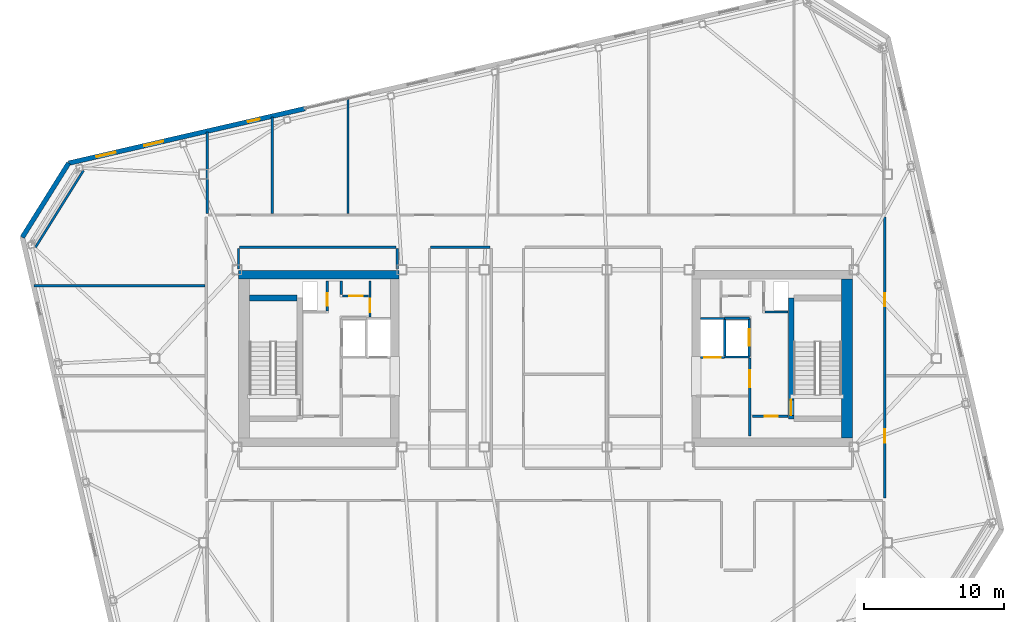
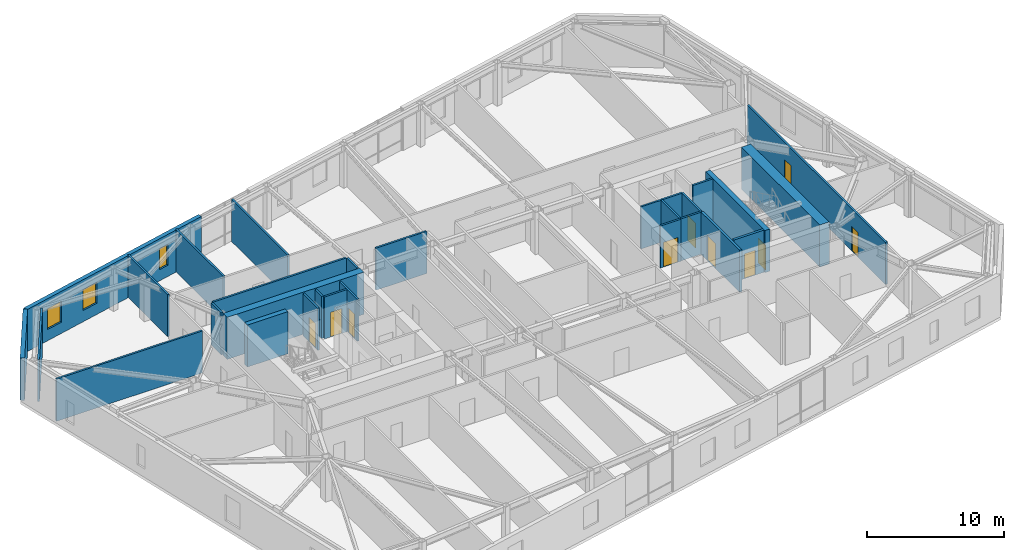
# One storey, part 18 of 23: 29 walls, 10 doors, 3 windows, 13 openings.
"""IFC4 building model written with IfcOpenShell, lengths in metres."""

from ifc_helpers import new_model, si_unit, direction, frame, frame_2d, origin, place, context, subcontext, project, spatial, rectangle, extrude, material, layer, layer_set, type_object, element, fill, save


model = new_model("IFC4")

# Units and contexts
model_context = context("Model", 3, precision=1e-05, world=origin(), true_north=direction((0.0, 1.0)))
body_context = subcontext(model_context, "Body", "Model", "MODEL_VIEW")
ifc_project = project(units=[si_unit("LENGTHUNIT", "METRE"), si_unit("AREAUNIT", "SQUARE_METRE"), si_unit("VOLUMEUNIT", "CUBIC_METRE"), si_unit("PLANEANGLEUNIT", "RADIAN"), si_unit("MASSUNIT", "GRAM", prefix="KILO")], contexts=[model_context])

# Site, building, storey
site_placement = place(None, origin())
site = spatial("IfcSite", under=ifc_project, at=site_placement, CompositionType="ELEMENT")
building_placement = place(site_placement, origin())
building = spatial("IfcBuilding", under=site, at=building_placement, Name="Tavrogorsk Clinical Tower", CompositionType="ELEMENT")
storey_placement = place(building_placement, frame((0.0, 0.0, 293.0)))
storey = spatial("IfcBuildingStorey", under=building, at=storey_placement, Name="L68", CompositionType="ELEMENT", Elevation=293.0)

# Wall, opening, door
ifc_material_1 = material(Name="Concrete B60", Category="concrete")
ifc_layer_1 = layer(ifc_material_1, 0.199951171875)
ifc_layer_set_1 = layer_set([ifc_layer_1], Name="Concrete B60")
wall_type_1 = type_object("IfcWallType", Name="CoreFireWall_200", PredefinedType="SOLIDWALL", material=ifc_layer_set_1)
wall_1_placement = place(storey_placement, frame((14.824951171875, -4.139892578125, 0.0), z_axis=(0.0, 0.0, 1.0), x_axis=(1.0, 0.0, 0.0)))
wall_1 = element("IfcWall", 1, at=wall_1_placement, inside=storey, type_object=wall_type_1, Name="L68 Core East South Core Room Fire Wall", PredefinedType="SOLIDWALL", context=body_context, shape_type="SweptSolid", body=[
    extrude(rectangle(XDim=2.554931640625, YDim=0.199951171875, at=frame_2d((1.27734375, 0.0))), origin(), (0.0, 0.0, 1.0), 3.739990234375),
])
opening_1_placement = place(wall_1_placement, frame((0.8798828125, 0.0, 0.0)))
opening_1 = element("IfcOpeningElement", 2, at=opening_1_placement, cuts=wall_1, Name="Opening ID-02", PredefinedType="OPENING", context=body_context, shape_type="SweptSolid", body=[
    extrude(rectangle(XDim=0.949951171875, YDim=2.199951171875, at=frame_2d((0.47509765625, 1.10009765625))), frame((0.0, 0.10986328125, 0.0), z_axis=(0.0, -1.0, 0.0), x_axis=(1.0, 0.0, 0.0)), (0.0, 0.0, 1.0), 0.219970703125),
])
ifc_material_2 = material(Name="Laminated timber leaf on aluminium frame", Category="wood")
door_type_1 = type_object("IfcDoorType", Name="InteriorDoor_ID02_950", OperationType="NOTDEFINED", PredefinedType="DOOR", material=ifc_material_2)
door_1_placement = place(opening_1_placement, origin())
door_1 = element("IfcDoor", 3, at=door_1_placement, inside=storey, type_object=door_type_1, Name="L68 Core East South Core Room Door", OperationType="SINGLE_SWING_RIGHT", OverallHeight=2.199951171875, OverallWidth=0.949951171875, PredefinedType="DOOR", context=body_context, shape_type="SweptSolid", body=[
    extrude(rectangle(XDim=0.949951171875, YDim=2.199951171875, at=frame_2d((0.47509765625, 1.10009765625))), frame((0.0, 0.02490234375, 0.0), z_axis=(0.0, -1.0, 0.0), x_axis=(1.0, 0.0, 0.0)), (0.0, 0.0, 1.0), 0.050048828125),
])
fill(opening_1, door_1)

wall_2_placement = place(storey_placement, frame((14.639892578125, -5.56005859375, 0.0), z_axis=(0.0, 0.0, 1.0), x_axis=(0.0, 1.0, 0.0)))
wall_2 = element("IfcWall", 4, at=wall_2_placement, inside=storey, type_object=wall_type_1, Name="L68 Core East Firefighting Lobby Fire Wall", PredefinedType="SOLIDWALL", context=body_context, shape_type="SweptSolid", body=[
    extrude(rectangle(XDim=5.60009765625, YDim=0.199951171875, at=frame_2d((2.800048828125, 0.0))), origin(), (0.0, 0.0, 1.0), 3.739990234375),
])
opening_2_placement = place(wall_2_placement, frame((3.510009765625, 0.0, 0.0)))
opening_2 = element("IfcOpeningElement", 5, at=opening_2_placement, cuts=wall_2, Name="Opening FD-01", PredefinedType="OPENING", context=body_context, shape_type="SweptSolid", body=[
    extrude(rectangle(XDim=1.199951171875, YDim=2.199951171875, at=frame_2d((0.60009765625, 1.10009765625))), frame((0.0, 0.10986328125, 0.0), z_axis=(0.0, -1.0, 0.0), x_axis=(1.0, 0.0, 0.0)), (0.0, 0.0, 1.0), 0.219970703125),
])
ifc_material_3 = material(Name="Galvanised steel fire-rated door assembly", Category="steel")
door_type_2 = type_object("IfcDoorType", Name="FireDoor_FD01_1200", OperationType="NOTDEFINED", PredefinedType="DOOR", material=ifc_material_3)
door_2_placement = place(opening_2_placement, origin())
door_2 = element("IfcDoor", 6, at=door_2_placement, inside=storey, type_object=door_type_2, Name="L68 Core East Firefighting Lobby Entry Door", OperationType="SINGLE_SWING_RIGHT", OverallHeight=2.199951171875, OverallWidth=1.199951171875, PredefinedType="DOOR", context=body_context, shape_type="SweptSolid", body=[
    extrude(rectangle(XDim=1.199951171875, YDim=2.199951171875, at=frame_2d((0.60009765625, 1.10009765625))), frame((0.0, 0.02490234375, 0.0), z_axis=(0.0, -1.0, 0.0), x_axis=(1.0, 0.0, 0.0)), (0.0, 0.0, 1.0), 0.050048828125),
])
fill(opening_2, door_2)

ifc_material_4 = material(Name="Lightweight concrete blockwork B15", Category="masonry")
ifc_layer_2 = layer(ifc_material_4, 0.159912109375)
ifc_layer_set_2 = layer_set([ifc_layer_2], Name="Lightweight concrete blockwork B15")
wall_type_2 = type_object("IfcWallType", Name="PartitionWall_160", PredefinedType="PARTITIONING", material=ifc_layer_set_2)
wall_3_placement = place(storey_placement, frame((-12.580078125, 2.9599609375, 0.0), z_axis=(0.0, 0.0, 1.0), x_axis=(0.0, 1.0, 0.0)))
wall_3 = element("IfcWall", 7, at=wall_3_placement, inside=storey, type_object=wall_type_2, Name="L68 Core West Linen Closet Wall", PredefinedType="PARTITIONING", context=body_context, shape_type="SweptSolid", body=[
    extrude(rectangle(XDim=2.60009765625, YDim=0.159912109375, at=frame_2d((1.300048828125, 0.0))), origin(), (0.0, 0.0, 1.0), 3.739990234375),
])
opening_3_placement = place(wall_3_placement, frame((0.35009765625, 0.0, 0.0)))
opening_3 = element("IfcOpeningElement", 8, at=opening_3_placement, cuts=wall_3, Name="Opening ID-02", PredefinedType="OPENING", context=body_context, shape_type="SweptSolid", body=[
    extrude(rectangle(XDim=0.949951171875, YDim=2.199951171875, at=frame_2d((0.47509765625, 1.10009765625))), frame((0.0, 0.08984375, 0.0), z_axis=(0.0, -1.0, 0.0), x_axis=(1.0, 0.0, 0.0)), (0.0, 0.0, 1.0), 0.179931640625),
])
door_3_placement = place(opening_3_placement, origin())
door_3 = element("IfcDoor", 9, at=door_3_placement, inside=storey, type_object=door_type_1, Name="L68 Core West Linen Closet Door", OperationType="SINGLE_SWING_RIGHT", OverallHeight=2.199951171875, OverallWidth=0.949951171875, PredefinedType="DOOR", context=body_context, shape_type="SweptSolid", body=[
    extrude(rectangle(XDim=0.949951171875, YDim=2.199951171875, at=frame_2d((0.47509765625, 1.10009765625))), frame((0.0, 0.02490234375, 0.0), z_axis=(0.0, -1.0, 0.0), x_axis=(1.0, 0.0, 0.0)), (0.0, 0.0, 1.0), 0.050048828125),
])
fill(opening_3, door_3)

wall_4_placement = place(storey_placement, frame((-14.554931640625, 4.47998046875, 0.0), z_axis=(0.0, 0.0, 1.0), x_axis=(1.0, 0.0, 0.0)))
wall_4 = element("IfcWall", 10, at=wall_4_placement, inside=storey, type_object=wall_type_2, Name="L68 Core West Housekeeping South Wall", PredefinedType="PARTITIONING", context=body_context, shape_type="SweptSolid", body=[
    extrude(rectangle(XDim=1.889892578125, YDim=0.159912109375, at=frame_2d((0.94482421875, 0.0))), origin(), (0.0, 0.0, 1.0), 3.739990234375),
])
opening_4_placement = place(wall_4_placement, frame((0.5, 0.0, 0.0)))
opening_4 = element("IfcOpeningElement", 11, at=opening_4_placement, cuts=wall_4, Name="Opening ID-02", PredefinedType="OPENING", context=body_context, shape_type="SweptSolid", body=[
    extrude(rectangle(XDim=0.949951171875, YDim=2.199951171875, at=frame_2d((0.47509765625, 1.10009765625))), frame((0.0, 0.08984375, 0.0), z_axis=(0.0, -1.0, 0.0), x_axis=(1.0, 0.0, 0.0)), (0.0, 0.0, 1.0), 0.179931640625),
])
door_4_placement = place(opening_4_placement, origin())
door_4 = element("IfcDoor", 12, at=door_4_placement, inside=storey, type_object=door_type_1, Name="L68 Core West Housekeeping Closet Door", OperationType="SINGLE_SWING_LEFT", OverallHeight=2.199951171875, OverallWidth=0.949951171875, PredefinedType="DOOR", context=body_context, shape_type="SweptSolid", body=[
    extrude(rectangle(XDim=0.949951171875, YDim=2.199951171875, at=frame_2d((0.47509765625, 1.10009765625))), frame((0.0, 0.02490234375, 0.0), z_axis=(0.0, -1.0, 0.0), x_axis=(1.0, 0.0, 0.0)), (0.0, 0.0, 1.0), 0.050048828125),
])
fill(opening_4, door_4)

# Walls
wall_5_placement = place(storey_placement, frame((-14.639892578125, 4.56494140625, 0.0), z_axis=(0.0, 0.0, 1.0), x_axis=(0.0, 1.0, 0.0)))
element("IfcWall", 13, at=wall_5_placement, inside=storey, type_object=wall_type_2, Name="L68 Core West Housekeeping East Wall", PredefinedType="PARTITIONING", context=body_context, shape_type="SweptSolid", body=[
    extrude(rectangle(XDim=0.9951171875, YDim=0.159912109375, at=frame_2d((0.49755859375, 0.0))), origin(), (0.0, 0.0, 1.0), 3.739990234375),
])
wall_6_placement = place(storey_placement, frame((-33.10009765625, 13.464599609375, 0.0), z_axis=(0.0, 0.0, 1.0), x_axis=(-0.529958457806, -0.848023604035, 0.0)))
element("IfcWall", 14, at=wall_6_placement, inside=storey, type_object=wall_type_2, Name="L68 Corner Exoskeleton Brace Furring Wall 3", PredefinedType="PARTITIONING", context=body_context, shape_type="SweptSolid", body=[
    extrude(rectangle(XDim=6.505126953125, YDim=0.159912109375, at=frame_2d((3.25244140625, 0.0))), origin(), (0.0, 0.0, 1.0), 3.739990234375),
])

# Wall, openings, doors
wall_7_placement = place(storey_placement, frame((24.31005859375, 10.114990234375, 0.0), z_axis=(0.0, 0.0, 1.0), x_axis=(0.0, -1.0, 0.0)))
wall_7 = element("IfcWall", 15, at=wall_7_placement, inside=storey, type_object=wall_type_2, Name="L68 Corridor Partition 03", PredefinedType="PARTITIONING", context=body_context, shape_type="SweptSolid", body=[
    extrude(rectangle(XDim=20.1298828125, YDim=0.159912109375, at=frame_2d((10.06494140625, 0.0))), origin(), (0.0, 0.0, 1.0), 3.739990234375),
])
opening_5_placement = place(wall_7_placement, frame((15.205810546875, 0.0, 0.0)))
opening_5 = element("IfcOpeningElement", 16, at=opening_5_placement, cuts=wall_7, Name="Opening ID-02", PredefinedType="OPENING", context=body_context, shape_type="SweptSolid", body=[
    extrude(rectangle(XDim=0.949951171875, YDim=2.199951171875, at=frame_2d((0.47509765625, 1.10009765625))), frame((0.0, 0.08984375, 0.0), z_axis=(0.0, -1.0, 0.0), x_axis=(1.0, 0.0, 0.0)), (0.0, 0.0, 1.0), 0.179931640625),
])
opening_6_placement = place(wall_7_placement, frame((5.444091796875, 0.0, 0.0)))
opening_6 = element("IfcOpeningElement", 17, at=opening_6_placement, cuts=wall_7, Name="Opening ID-02", PredefinedType="OPENING", context=body_context, shape_type="SweptSolid", body=[
    extrude(rectangle(XDim=0.949951171875, YDim=2.199951171875, at=frame_2d((0.47509765625, 1.10009765625))), frame((0.0, 0.08984375, 0.0), z_axis=(0.0, -1.0, 0.0), x_axis=(1.0, 0.0, 0.0)), (0.0, 0.0, 1.0), 0.179931640625),
])
door_5_placement = place(opening_5_placement, origin())
door_5 = element("IfcDoor", 18, at=door_5_placement, inside=storey, type_object=door_type_1, Name="L68 E Senior Clinician Suite 1 Door", OperationType="SINGLE_SWING_RIGHT", OverallHeight=2.199951171875, OverallWidth=0.949951171875, PredefinedType="DOOR", context=body_context, shape_type="SweptSolid", body=[
    extrude(rectangle(XDim=0.949951171875, YDim=2.199951171875, at=frame_2d((0.47509765625, 1.10009765625))), frame((0.0, 0.02490234375, 0.0), z_axis=(0.0, -1.0, 0.0), x_axis=(1.0, 0.0, 0.0)), (0.0, 0.0, 1.0), 0.050048828125),
])
fill(opening_5, door_5)
door_6_placement = place(opening_6_placement, origin())
door_6 = element("IfcDoor", 19, at=door_6_placement, inside=storey, type_object=door_type_1, Name="L68 E Multidisciplinary Seminar Suite 2 Door", OperationType="SINGLE_SWING_LEFT", OverallHeight=2.199951171875, OverallWidth=0.949951171875, PredefinedType="DOOR", context=body_context, shape_type="SweptSolid", body=[
    extrude(rectangle(XDim=0.949951171875, YDim=2.199951171875, at=frame_2d((0.47509765625, 1.10009765625))), frame((0.0, 0.02490234375, 0.0), z_axis=(0.0, -1.0, 0.0), x_axis=(1.0, 0.0, 0.0)), (0.0, 0.0, 1.0), 0.050048828125),
])
fill(opening_6, door_6)

# Walls
wall_8_placement = place(storey_placement, frame((-3.965087890625, 7.969970703125, 0.0), z_axis=(0.0, 0.0, 1.0), x_axis=(-1.0, 0.0, 0.0)))
element("IfcWall", 20, at=wall_8_placement, inside=storey, type_object=wall_type_2, Name="L68 Corridor Partition 20", PredefinedType="PARTITIONING", context=body_context, shape_type="SweptSolid", body=[
    extrude(rectangle(XDim=4.27001953125, YDim=0.159912109375, at=frame_2d((2.135009765625, 0.0))), origin(), (0.0, 0.0, 1.0), 3.739990234375),
])
wall_9_placement = place(storey_placement, frame((-10.6298828125, 6.419921875, 0.0), z_axis=(0.0, 0.0, 1.0), x_axis=(0.0, 1.0, 0.0)))
element("IfcWall", 21, at=wall_9_placement, inside=storey, type_object=wall_type_2, Name="L68 Corridor Partition 24", PredefinedType="PARTITIONING", context=body_context, shape_type="SweptSolid", body=[
    extrude(rectangle(XDim=1.465087890625, YDim=0.159912109375, at=frame_2d((0.732421875, 0.0))), origin(), (0.0, 0.0, 1.0), 3.739990234375),
])
wall_10_placement = place(storey_placement, frame((-10.715087890625, 7.969970703125, 0.0), z_axis=(0.0, 0.0, 1.0), x_axis=(-1.0, 0.0, 0.0)))
element("IfcWall", 22, at=wall_10_placement, inside=storey, type_object=wall_type_2, Name="L68 Corridor Partition 25", PredefinedType="PARTITIONING", context=body_context, shape_type="SweptSolid", body=[
    extrude(rectangle(XDim=11.199951171875, YDim=0.159912109375, at=frame_2d((5.60009765625, 0.0))), origin(), (0.0, 0.0, 1.0), 3.739990234375),
])
wall_11_placement = place(storey_placement, frame((-22.0, 7.885009765625, 0.0), z_axis=(0.0, 0.0, 1.0), x_axis=(0.0, -1.0, 0.0)))
element("IfcWall", 23, at=wall_11_placement, inside=storey, type_object=wall_type_2, Name="L68 Corridor Partition 26", PredefinedType="PARTITIONING", context=body_context, shape_type="SweptSolid", body=[
    extrude(rectangle(XDim=1.465087890625, YDim=0.159912109375, at=frame_2d((0.732421875, 0.0))), origin(), (0.0, 0.0, 1.0), 3.739990234375),
])
wall_12_placement = place(storey_placement, frame((-24.22998046875, 10.364990234375, 0.0), z_axis=(0.0, 0.0, 1.0), x_axis=(0.0, 1.0, 0.0)))
element("IfcWall", 24, at=wall_12_placement, inside=storey, type_object=wall_type_2, Name="L68 NW Wing Closure Partition", PredefinedType="PARTITIONING", context=body_context, shape_type="SweptSolid", body=[
    extrude(rectangle(XDim=5.845947265625, YDim=0.159912109375, at=frame_2d((2.9228515625, 0.0))), origin(), (0.0, 0.0, 1.0), 3.739990234375),
])
wall_13_placement = place(storey_placement, frame((-19.580078125, 10.364990234375, 0.0), z_axis=(0.0, 0.0, 1.0), x_axis=(0.0, 1.0, 0.0)))
element("IfcWall", 25, at=wall_13_placement, inside=storey, type_object=wall_type_2, Name="L68 North Room Partition 1", PredefinedType="PARTITIONING", context=body_context, shape_type="SweptSolid", body=[
    extrude(rectangle(XDim=6.91943359375, YDim=0.159912109375, at=frame_2d((3.459716796875, 0.0))), origin(), (0.0, 0.0, 1.0), 3.739990234375),
])
wall_14_placement = place(storey_placement, frame((-14.159912109375, 10.364990234375, 0.0), z_axis=(0.0, 0.0, 1.0), x_axis=(0.0, 1.0, 0.0)))
element("IfcWall", 26, at=wall_14_placement, inside=storey, type_object=wall_type_2, Name="L68 North Room Partition 2", PredefinedType="PARTITIONING", context=body_context, shape_type="SweptSolid", body=[
    extrude(rectangle(XDim=8.1708984375, YDim=0.159912109375, at=frame_2d((4.08544921875, 0.0))), origin(), (0.0, 0.0, 1.0), 3.739990234375),
])
wall_15_placement = place(storey_placement, frame((-36.662841796875, 5.199951171875, 0.0), z_axis=(0.0, 0.0, 1.0), x_axis=(1.0, 0.0, 0.0)))
element("IfcWall", 27, at=wall_15_placement, inside=storey, type_object=wall_type_2, Name="L68 W Wing Divider 3", PredefinedType="PARTITIONING", context=body_context, shape_type="SweptSolid", body=[
    extrude(rectangle(XDim=12.267822265625, YDim=0.159912109375, at=frame_2d((6.1337890625, 0.0))), origin(), (0.0, 0.0, 1.0), 3.739990234375),
])

# Wall, openings, windows
ifc_material_5 = material(Name="Precast concrete B45 with limestone cladding", Category="masonry")
ifc_layer_3 = layer(ifc_material_5, 0.340087890625)
ifc_layer_set_3 = layer_set([ifc_layer_3], Name="Precast concrete B45 with limestone cladding")
wall_type_3 = type_object("IfcWallType", Name="PrecastLimestoneWall_340", PredefinedType="STANDARD", material=ifc_layer_set_3)
wall_16_placement = place(storey_placement, frame((-17.2451171875, 17.895263671875, 0.0), z_axis=(0.0, 0.0, 1.0), x_axis=(-0.97437318493, -0.224937539085, 0.0)))
wall_16 = element("IfcWall", 28, at=wall_16_placement, inside=storey, type_object=wall_type_3, Name="L68 N Limestone Facade Wall 3", PredefinedType="STANDARD", context=body_context, shape_type="SweptSolid", body=[
    extrude(rectangle(XDim=17.365966796875, YDim=0.340087890625, at=frame_2d((8.68310546875, 0.0))), origin(), (0.0, 0.0, 1.0), 3.739990234375),
])
opening_7_placement = place(wall_16_placement, frame((13.924560546875, 0.0, 1.0)))
opening_7 = element("IfcOpeningElement", 29, at=opening_7_placement, cuts=wall_16, Name="Opening WN-17", PredefinedType="OPENING", context=body_context, shape_type="SweptSolid", body=[
    extrude(rectangle(XDim=1.39990234375, YDim=1.85009765625, at=frame_2d((0.699951171875, 0.925048828125))), frame((0.0, 0.179931640625, 0.0), z_axis=(0.0, -1.0, 0.0), x_axis=(1.0, 0.0, 0.0)), (0.0, 0.0, 1.0), 0.360107421875),
])
opening_8_placement = place(wall_16_placement, frame((10.412841796875, 0.0, 1.0)))
opening_8 = element("IfcOpeningElement", 30, at=opening_8_placement, cuts=wall_16, Name="Opening WN-17", PredefinedType="OPENING", context=body_context, shape_type="SweptSolid", body=[
    extrude(rectangle(XDim=1.39990234375, YDim=1.85009765625, at=frame_2d((0.699951171875, 0.925048828125))), frame((0.0, 0.179931640625, 0.0), z_axis=(0.0, -1.0, 0.0), x_axis=(1.0, 0.0, 0.0)), (0.0, 0.0, 1.0), 0.360107421875),
])
opening_9_placement = place(wall_16_placement, frame((3.32861328125, 0.0, 1.0)))
opening_9 = element("IfcOpeningElement", 31, at=opening_9_placement, cuts=wall_16, Name="Opening WN-06", PredefinedType="OPENING", context=body_context, shape_type="SweptSolid", body=[
    extrude(rectangle(XDim=0.85009765625, YDim=1.85009765625, at=frame_2d((0.425048828125, 0.925048828125))), frame((0.0, 0.179931640625, 0.0), z_axis=(0.0, -1.0, 0.0), x_axis=(1.0, 0.0, 0.0)), (0.0, 0.0, 1.0), 0.360107421875),
])
ifc_material_6 = material(Name="Thermally broken aluminium frame and triple IGU", Category="aluminium")
window_type_1 = type_object("IfcWindowType", Name="MullionSubWin_850x1850", PartitioningType="SINGLE_PANEL", PredefinedType="WINDOW", material=ifc_material_6)
window_1_placement = place(opening_9_placement, origin())
window_1 = element("IfcWindow", 32, at=window_1_placement, inside=storey, type_object=window_type_1, Name="L68 N Mullion Split Window 04B", OverallHeight=1.85009765625, OverallWidth=0.85009765625, PartitioningType="SINGLE_PANEL", PredefinedType="WINDOW", context=body_context, shape_type="SweptSolid", body=[
    extrude(rectangle(XDim=0.85009765625, YDim=1.85009765625, at=frame_2d((0.425048828125, 0.925048828125))), frame((0.0, 0.030029296875, 0.0), z_axis=(0.0, -1.0, 0.0), x_axis=(1.0, 0.0, 0.0)), (0.0, 0.0, 1.0), 0.06005859375),
])
fill(opening_9, window_1)
ifc_material_7 = material(Name="Thermally broken aluminium frame and triple IGU", Category="aluminium")
window_type_2 = type_object("IfcWindowType", Name="TelemetryWin_1400x1850", PartitioningType="SINGLE_PANEL", PredefinedType="WINDOW", material=ifc_material_7)
window_2_placement = place(opening_7_placement, origin())
window_2 = element("IfcWindow", 33, at=window_2_placement, inside=storey, type_object=window_type_2, Name="L68 N Chicago Window 01", OverallHeight=1.85009765625, OverallWidth=1.39990234375, PartitioningType="SINGLE_PANEL", PredefinedType="WINDOW", context=body_context, shape_type="SweptSolid", body=[
    extrude(rectangle(XDim=1.39990234375, YDim=1.85009765625, at=frame_2d((0.699951171875, 0.925048828125))), frame((0.0, 0.030029296875, 0.0), z_axis=(0.0, -1.0, 0.0), x_axis=(1.0, 0.0, 0.0)), (0.0, 0.0, 1.0), 0.06005859375),
])
fill(opening_7, window_2)
window_3_placement = place(opening_8_placement, origin())
window_3 = element("IfcWindow", 34, at=window_3_placement, inside=storey, type_object=window_type_2, Name="L68 N Chicago Window 02", OverallHeight=1.85009765625, OverallWidth=1.39990234375, PartitioningType="SINGLE_PANEL", PredefinedType="WINDOW", context=body_context, shape_type="SweptSolid", body=[
    extrude(rectangle(XDim=1.39990234375, YDim=1.85009765625, at=frame_2d((0.699951171875, 0.925048828125))), frame((0.0, 0.030029296875, 0.0), z_axis=(0.0, -1.0, 0.0), x_axis=(1.0, 0.0, 0.0)), (0.0, 0.0, 1.0), 0.06005859375),
])
fill(opening_8, window_3)

# Wall
wall_17_placement = place(storey_placement, frame((-34.165771484375, 13.989013671875, 0.0), z_axis=(0.0, 0.0, 1.0), x_axis=(-0.529935887993, -0.848037708252, 0.0)))
element("IfcWall", 35, at=wall_17_placement, inside=storey, type_object=wall_type_3, Name="L68 Chamfered Corner Wall 3", PredefinedType="STANDARD", context=body_context, shape_type="SweptSolid", body=[
    extrude(rectangle(XDim=6.26513671875, YDim=0.340087890625, at=frame_2d((3.132568359375, 0.0))), origin(), (0.0, 0.0, 1.0), 3.739990234375),
])

# Wall, opening, door
ifc_material_8 = material(Name="Lightweight concrete blockwork B25", Category="masonry")
ifc_layer_4 = layer(ifc_material_8, 0.159912109375)
ifc_layer_set_4 = layer_set([ifc_layer_4], Name="Lightweight concrete blockwork B25")
wall_type_4 = type_object("IfcWallType", Name="ShaftWall_160", PredefinedType="PARTITIONING", material=ifc_layer_set_4)
wall_18_placement = place(storey_placement, frame((14.60009765625, 0.1201171875, 0.0), z_axis=(0.0, 0.0, 1.0), x_axis=(0.0, 1.0, 0.0)))
wall_18 = element("IfcWall", 36, at=wall_18_placement, inside=storey, type_object=wall_type_4, Name="L68 FFL-E Firefighting Lift Front Wall", PredefinedType="PARTITIONING", context=body_context, shape_type="SweptSolid", body=[
    extrude(rectangle(XDim=2.739990234375, YDim=0.159912109375, at=frame_2d((1.3701171875, 0.0))), origin(), (0.0, 0.0, 1.0), 3.739990234375),
])
opening_10_placement = place(wall_18_placement, frame((0.77001953125, 0.0, 0.0)))
opening_10 = element("IfcOpeningElement", 37, at=opening_10_placement, cuts=wall_18, Name="Opening LD", PredefinedType="OPENING", context=body_context, shape_type="SweptSolid", body=[
    extrude(rectangle(XDim=1.199951171875, YDim=2.199951171875, at=frame_2d((0.60009765625, 1.10009765625))), frame((0.0, 0.08984375, 0.0), z_axis=(0.0, -1.0, 0.0), x_axis=(1.0, 0.0, 0.0)), (0.0, 0.0, 1.0), 0.179931640625),
])
ifc_material_9 = material(Name="Brushed stainless steel AISI 304 sliding doors", Category="steel")
door_type_3 = type_object("IfcDoorType", Name="LiftLandingDoor_LD_1200", OperationType="SLIDING_TO_LEFT", PredefinedType="DOOR", material=ifc_material_9)
door_7_placement = place(opening_10_placement, origin())
door_7 = element("IfcDoor", 38, at=door_7_placement, inside=storey, type_object=door_type_3, Name="L68 FFL-E Sliding Lift Landing Door", OperationType="SLIDING_TO_LEFT", OverallHeight=2.199951171875, OverallWidth=1.199951171875, PredefinedType="DOOR", context=body_context, shape_type="SweptSolid", body=[
    extrude(rectangle(XDim=1.199951171875, YDim=2.199951171875, at=frame_2d((0.60009765625, 1.10009765625))), frame((0.0, 0.02490234375, 0.0), z_axis=(0.0, -1.0, 0.0), x_axis=(1.0, 0.0, 0.0)), (0.0, 0.0, 1.0), 0.050048828125),
])
fill(opening_10, door_7)

# Walls
for number, where, z_axis, x_axis, name in (
    (39, (12.840087890625, 0.10009765625, 0.0), (0.0, 0.0, 1.0), (1.0, 0.0, 0.0), "L68 FFL-E Shaft South Wall"),
    (40, (12.840087890625, 2.8798828125, 0.0), (0.0, 0.0, 1.0), (1.0, 0.0, 0.0), "L68 FFL-E Shaft North Wall"),
):
    element("IfcWall", number, at=place(storey_placement, frame(where, z_axis=z_axis, x_axis=x_axis)), inside=storey, type_object=wall_type_4, Name=name, PredefinedType="PARTITIONING", context=body_context, shape_type="SweptSolid", body=[
        extrude(rectangle(XDim=1.760009765625, YDim=0.159912109375, at=frame_2d((0.8798828125, 0.0))), origin(), (0.0, 0.0, 1.0), 3.739990234375),
    ])
wall_19_placement = place(storey_placement, frame((12.840087890625, 0.179931640625, 0.0), z_axis=(0.0, 0.0, 1.0), x_axis=(0.0, 1.0, 0.0)))
element("IfcWall", 41, at=wall_19_placement, inside=storey, type_object=wall_type_4, Name="L68 FFL-E Shaft Back Wall", PredefinedType="PARTITIONING", context=body_context, shape_type="SweptSolid", body=[
    extrude(rectangle(XDim=2.6201171875, YDim=0.159912109375, at=frame_2d((1.31005859375, 0.0))), origin(), (0.0, 0.0, 1.0), 3.739990234375),
])

# Wall, opening, door
wall_20_placement = place(storey_placement, frame((11.10009765625, 0.06005859375, 0.0), z_axis=(0.0, 0.0, 1.0), x_axis=(1.0, 0.0, 0.0)))
wall_20 = element("IfcWall", 42, at=wall_20_placement, inside=storey, type_object=wall_type_4, Name="L68 LP-H2 High-Zone Lift Portal Wall", PredefinedType="PARTITIONING", context=body_context, shape_type="SweptSolid", body=[
    extrude(rectangle(XDim=1.719970703125, YDim=0.159912109375, at=frame_2d((0.85986328125, 0.0))), origin(), (0.0, 0.0, 1.0), 3.739990234375),
])
opening_11_placement = place(wall_20_placement, frame((0.260009765625, 0.0, 0.0)))
opening_11 = element("IfcOpeningElement", 43, at=opening_11_placement, cuts=wall_20, Name="Opening LD", PredefinedType="OPENING", context=body_context, shape_type="SweptSolid", body=[
    extrude(rectangle(XDim=1.199951171875, YDim=2.199951171875, at=frame_2d((0.60009765625, 1.10009765625))), frame((0.0, 0.08984375, 0.0), z_axis=(0.0, -1.0, 0.0), x_axis=(1.0, 0.0, 0.0)), (0.0, 0.0, 1.0), 0.179931640625),
])
door_8_placement = place(opening_11_placement, origin())
door_8 = element("IfcDoor", 44, at=door_8_placement, inside=storey, type_object=door_type_3, Name="L68 LP-H2 Sliding Lift Landing Door", OperationType="SLIDING_TO_LEFT", OverallHeight=2.199951171875, OverallWidth=1.199951171875, PredefinedType="DOOR", context=body_context, shape_type="SweptSolid", body=[
    extrude(rectangle(XDim=1.199951171875, YDim=2.199951171875, at=frame_2d((0.60009765625, 1.10009765625))), frame((0.0, 0.02490234375, 0.0), z_axis=(0.0, -1.0, 0.0), x_axis=(1.0, 0.0, 0.0)), (0.0, 0.0, 1.0), 0.050048828125),
])
fill(opening_11, door_8)

# Wall
wall_21_placement = place(storey_placement, frame((11.10009765625, 2.860107421875, 0.0), z_axis=(0.0, 0.0, 1.0), x_axis=(1.0, 0.0, 0.0)))
element("IfcWall", 45, at=wall_21_placement, inside=storey, type_object=wall_type_4, Name="L68 LP-H2 High-Zone Lift Rear Wall", PredefinedType="PARTITIONING", context=body_context, shape_type="SweptSolid", body=[
    extrude(rectangle(XDim=1.719970703125, YDim=0.159912109375, at=frame_2d((0.85986328125, 0.0))), origin(), (0.0, 0.0, 1.0), 3.739990234375),
])

# Wall, opening, door
wall_22_placement = place(storey_placement, frame((-15.639892578125, 3.405029296875, 0.0), z_axis=(0.0, 0.0, 1.0), x_axis=(0.0, 1.0, 0.0)))
wall_22 = element("IfcWall", 46, at=wall_22_placement, inside=storey, type_object=wall_type_4, Name="L68 Core West Riser West Wall", PredefinedType="PARTITIONING", context=body_context, shape_type="SweptSolid", body=[
    extrude(rectangle(XDim=2.155029296875, YDim=0.159912109375, at=frame_2d((1.07763671875, 0.0))), origin(), (0.0, 0.0, 1.0), 3.739990234375),
])
opening_12_placement = place(wall_22_placement, frame((0.35009765625, 0.0, 0.0)))
opening_12 = element("IfcOpeningElement", 47, at=opening_12_placement, cuts=wall_22, Name="Opening FD-02", PredefinedType="OPENING", context=body_context, shape_type="SweptSolid", body=[
    extrude(rectangle(XDim=0.89990234375, YDim=2.199951171875, at=frame_2d((0.449951171875, 1.10009765625))), frame((0.0, 0.08984375, 0.0), z_axis=(0.0, -1.0, 0.0), x_axis=(1.0, 0.0, 0.0)), (0.0, 0.0, 1.0), 0.179931640625),
])
ifc_material_10 = material(Name="Galvanised steel fire-rated door assembly", Category="steel")
door_type_4 = type_object("IfcDoorType", Name="FireDoor_FD02_900", OperationType="NOTDEFINED", PredefinedType="DOOR", material=ifc_material_10)
door_9_placement = place(opening_12_placement, origin())
door_9 = element("IfcDoor", 48, at=door_9_placement, inside=storey, type_object=door_type_4, Name="L68 Core West Electrical Riser Access Door", OperationType="SINGLE_SWING_LEFT", OverallHeight=2.199951171875, OverallWidth=0.89990234375, PredefinedType="DOOR", context=body_context, shape_type="SweptSolid", body=[
    extrude(rectangle(XDim=0.89990234375, YDim=2.199951171875, at=frame_2d((0.449951171875, 1.10009765625))), frame((0.0, 0.02490234375, 0.0), z_axis=(0.0, -1.0, 0.0), x_axis=(1.0, 0.0, 0.0)), (0.0, 0.0, 1.0), 0.050048828125),
])
fill(opening_12, door_9)

# Walls
wall_23_placement = place(storey_placement, frame((15.72509765625, 3.320068359375, 0.0), z_axis=(0.0, 0.0, 1.0), x_axis=(1.0, 0.0, 0.0)))
element("IfcWall", 49, at=wall_23_placement, inside=storey, type_object=wall_type_4, Name="L68 Core East Riser South Wall", PredefinedType="PARTITIONING", context=body_context, shape_type="SweptSolid", body=[
    extrude(rectangle(XDim=1.65478515625, YDim=0.159912109375, at=frame_2d((0.827392578125, 0.0))), origin(), (0.0, 0.0, 1.0), 3.739990234375),
])
ifc_material_11 = material(Name="Concrete B80", Category="concrete")
ifc_layer_5 = layer(ifc_material_11, 0.39990234375)
ifc_layer_set_5 = layer_set([ifc_layer_5], Name="Concrete B80")
wall_type_5 = type_object("IfcWallType", Name="ShearWall_400", PredefinedType="SHEAR", material=ifc_layer_set_5)
wall_24_placement = place(storey_placement, frame((-21.199951171875, 4.324951171875, 0.0), z_axis=(0.0, 0.0, 1.0), x_axis=(1.0, 0.0, 0.0)))
element("IfcWall", 50, at=wall_24_placement, inside=storey, type_object=wall_type_5, Name="L68 Core West Stair Shaft North Shear Wall", PredefinedType="SHEAR", context=body_context, shape_type="SweptSolid", body=[
    extrude(rectangle(XDim=3.39990234375, YDim=0.39990234375, at=frame_2d((1.699951171875, 0.0))), origin(), (0.0, 0.0, 1.0), 3.739990234375),
])

# Wall, opening, door
wall_25_placement = place(storey_placement, frame((17.60009765625, -4.324951171875, 0.0), z_axis=(0.0, 0.0, 1.0), x_axis=(0.0, 1.0, 0.0)))
wall_25 = element("IfcWall", 51, at=wall_25_placement, inside=storey, type_object=wall_type_5, Name="L68 Core East Stair Shaft Inner Shear Wall", PredefinedType="SHEAR", context=body_context, shape_type="SweptSolid", body=[
    extrude(rectangle(XDim=8.64990234375, YDim=0.39990234375, at=frame_2d((4.324951171875, 0.0))), origin(), (0.0, 0.0, 1.0), 3.739990234375),
])
opening_13_placement = place(wall_25_placement, frame((0.25, 0.0, 0.0)))
opening_13 = element("IfcOpeningElement", 52, at=opening_13_placement, cuts=wall_25, Name="Opening SD-01", PredefinedType="OPENING", context=body_context, shape_type="SweptSolid", body=[
    extrude(rectangle(XDim=1.10009765625, YDim=2.199951171875, at=frame_2d((0.550048828125, 1.10009765625))), frame((0.0, 0.2099609375, 0.0), z_axis=(0.0, -1.0, 0.0), x_axis=(1.0, 0.0, 0.0)), (0.0, 0.0, 1.0), 0.419921875),
])
ifc_material_12 = material(Name="Galvanised steel smoke-tight fire door assembly", Category="steel")
door_type_5 = type_object("IfcDoorType", Name="StairFireDoor_SD01_1100", OperationType="NOTDEFINED", PredefinedType="DOOR", material=ifc_material_12)
door_10_placement = place(opening_13_placement, origin())
door_10 = element("IfcDoor", 53, at=door_10_placement, inside=storey, type_object=door_type_5, Name="L68 ST-E Exit Stair Door", OperationType="SINGLE_SWING_RIGHT", OverallHeight=2.199951171875, OverallWidth=1.10009765625, PredefinedType="DOOR", context=body_context, shape_type="SweptSolid", body=[
    extrude(rectangle(XDim=1.10009765625, YDim=2.199951171875, at=frame_2d((0.550048828125, 1.10009765625))), frame((0.0, 0.02490234375, 0.0), z_axis=(0.0, -1.0, 0.0), x_axis=(1.0, 0.0, 0.0)), (0.0, 0.0, 1.0), 0.050048828125),
])
fill(opening_13, door_10)

# Walls
ifc_material_13 = material(Name="Concrete B80", Category="concrete")
ifc_layer_6 = layer(ifc_material_13, 0.60009765625)
ifc_layer_set_6 = layer_set([ifc_layer_6], Name="Concrete B80")
wall_type_6 = type_object("IfcWallType", Name="ShearWall_600", PredefinedType="SHEAR", material=ifc_layer_set_6)
wall_26_placement = place(storey_placement, frame((-22.0, 6.0, 0.0), z_axis=(0.0, 0.0, 1.0), x_axis=(1.0, 0.0, 0.0)))
element("IfcWall", 54, at=wall_26_placement, inside=storey, type_object=wall_type_6, Name="L68 Core West North Shear Wall", PredefinedType="SHEAR", context=body_context, shape_type="SweptSolid", body=[
    extrude(rectangle(XDim=11.5, YDim=0.60009765625, at=frame_2d((5.75, 0.0))), origin(), (0.0, 0.0, 1.0), 3.739990234375),
])
ifc_material_14 = material(Name="Concrete B80", Category="concrete")
ifc_layer_7 = layer(ifc_material_14, 0.800048828125)
ifc_layer_set_7 = layer_set([ifc_layer_7], Name="Concrete B80")
wall_type_7 = type_object("IfcWallType", Name="ShearWall_800", PredefinedType="SHEAR", material=ifc_layer_set_7)
wall_27_placement = place(storey_placement, frame((21.60009765625, -5.699951171875, 0.0), z_axis=(0.0, 0.0, 1.0), x_axis=(0.0, 1.0, 0.0)))
element("IfcWall", 55, at=wall_27_placement, inside=storey, type_object=wall_type_7, Name="L68 Core East End Shear Wall", PredefinedType="SHEAR", context=body_context, shape_type="SweptSolid", body=[
    extrude(rectangle(XDim=11.39990234375, YDim=0.800048828125, at=frame_2d((5.699951171875, 0.0))), origin(), (0.0, 0.0, 1.0), 3.739990234375),
])

save(model, "model.ifc")
